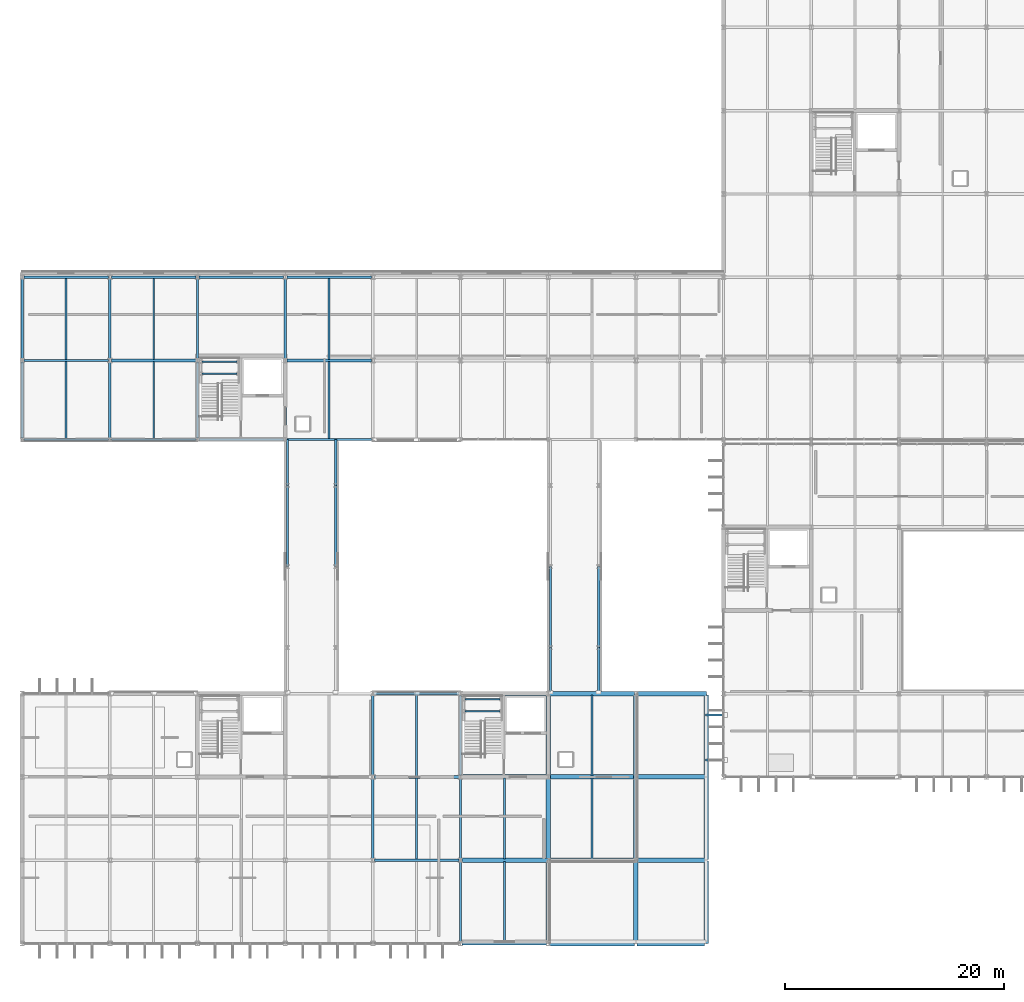
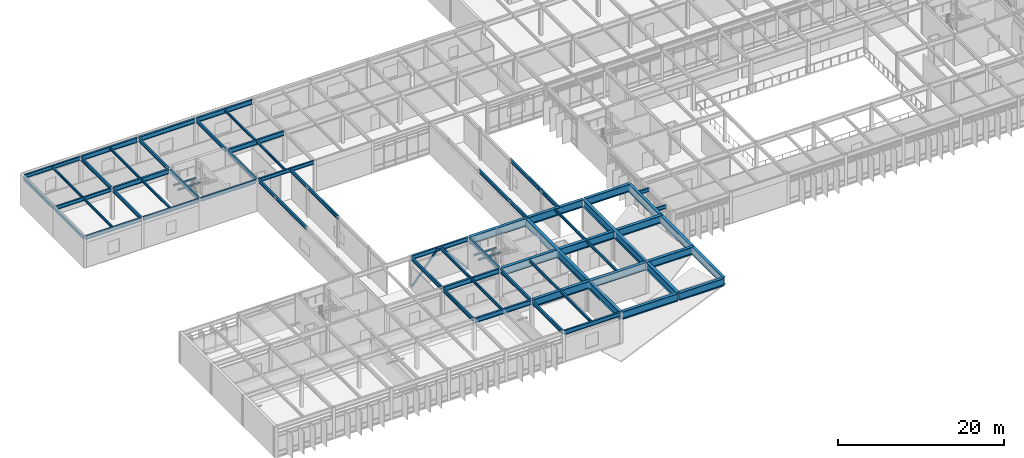
# One storey, part 30 of 104: 68 beams, 2 members.
"""IFC4 building model written with IfcOpenShell, lengths in metres."""

from ifc_helpers import new_model, si_unit, direction, frame, origin, origin_2d, place, context, subcontext, project, spatial, hollow_rectangle, i_section, extrude, material, material_profile, profile_set, type_object, element, save


model = new_model("IFC4")

# Units and contexts
model_context = context("Model", 3, precision=1e-05, world=origin(), true_north=direction((0.0, 1.0)))
body_context = subcontext(model_context, "Body", "Model", "MODEL_VIEW")
ifc_project = project(units=[si_unit("LENGTHUNIT", "METRE"), si_unit("AREAUNIT", "SQUARE_METRE"), si_unit("VOLUMEUNIT", "CUBIC_METRE"), si_unit("PLANEANGLEUNIT", "RADIAN"), si_unit("MASSUNIT", "GRAM", prefix="KILO")], contexts=[model_context])

# Site, building, storey
site_placement = place(None, origin())
site = spatial("IfcSite", under=ifc_project, at=site_placement, CompositionType="ELEMENT")
building_placement = place(site_placement, origin())
building = spatial("IfcBuilding", under=site, at=building_placement, Name="Zulena Civic Courthouse", CompositionType="ELEMENT")
storey_placement = place(building_placement, frame((0.0, 0.0, 10.800048828125)))
storey = spatial("IfcBuildingStorey", under=building, at=storey_placement, Name="L02", CompositionType="ELEMENT", Elevation=10.800048828125)

# Members
ifc_material_1 = material(Name="Steel ASTM A500 Grade C", Category="steel")
ifc_material_profile_1 = material_profile(ifc_material_1, hollow_rectangle(XDim=0.152099609375, YDim=0.25390625, WallThickness=0.0087890625, at=origin_2d()), Name="HSS10X6X3/8")
ifc_profile_set_1 = profile_set([ifc_material_profile_1], Name="Steel ASTM A500 Grade C")
member_type = type_object("IfcMemberType", Name="Brace_HSS10X6", PredefinedType="BRACE", material=ifc_profile_set_1)
for number, where, z_axis, x_axis, name in (
    (1, (36.14990234375, 22.800048828125, 0.010009765625), (0.641014438311, 0.0, 0.767528820225), (0.0, 1.0, 0.0), "brace:V2:L02:1:0"),
    (2, (43.85009765625, 22.800048828125, 0.010009765625), (-0.641014438311, 0.0, 0.767528820225), (0.0, -1.0, 0.0), "brace:V2:L02:1:1"),
):
    element("IfcMember", number, at=place(storey_placement, frame(where, z_axis=z_axis, x_axis=x_axis)), inside=storey, type_object=member_type, Name=name, PredefinedType="BRACE", context=body_context, shape_type="SweptSolid", body=[
        extrude(hollow_rectangle(XDim=0.152099609375, YDim=0.25390625, WallThickness=0.0087890625, at=origin_2d()), origin(), (0.0, 0.0, 1.0), 5.92822265625),
    ])

# Beams
ifc_material_2 = material(Name="Steel ASTM A992 Grade 50", Category="steel")
ifc_material_profile_2 = material_profile(ifc_material_2, i_section(OverallWidth=0.2099609375, OverallDepth=0.537109375, WebThickness=0.010986328125, FlangeThickness=0.017333984375, FilletRadius=0.0126953125, at=origin_2d()), Name="W21X68")
ifc_profile_set_2 = profile_set([ifc_material_profile_2], Name="Steel ASTM A992 Grade 50")
beam_type_1 = type_object("IfcBeamType", Name="BridgeGirder_W21X68", PredefinedType="BEAM", material=ifc_profile_set_2)
for number, where, z_axis, x_axis, name in (
    (3, (66.3701171875, 16.75, 4.31640625), (1.0, 0.0, 0.0), (0.0, 1.0, 0.0), "beam:bridge:BR-24:L03:16.75"),
    (4, (66.3701171875, 20.85009765625, 4.31640625), (1.0, 0.0, 0.0), (0.0, 1.0, 0.0), "beam:bridge:BR-24:L03:20.85"),
):
    element("IfcBeam", number, at=place(storey_placement, frame(where, z_axis=z_axis, x_axis=x_axis)), inside=storey, type_object=beam_type_1, Name=name, PredefinedType="BEAM", context=body_context, shape_type="SweptSolid", body=[
        extrude(i_section(OverallWidth=0.2099609375, OverallDepth=0.537109375, WebThickness=0.010986328125, FlangeThickness=0.017333984375, FilletRadius=0.0126953125, at=origin_2d()), origin(), (0.0, 0.0, 1.0), 1.659912109375),
    ])
beam_1_placement = place(storey_placement, frame((28.199951171875, 34.39990234375, 4.33642578125), z_axis=(0.0, 1.0, 0.0), x_axis=(-1.0, 0.0, 0.0)))
element("IfcBeam", 5, at=beam_1_placement, inside=storey, type_object=beam_type_1, Name="beam:bridge:BR-52J:L03:28.20:2", PredefinedType="BEAM", context=body_context, shape_type="SweptSolid", body=[
    extrude(i_section(OverallWidth=0.2099609375, OverallDepth=0.537109375, WebThickness=0.010986328125, FlangeThickness=0.017333984375, FilletRadius=0.0126953125, at=origin_2d()), origin(), (0.0, 0.0, 1.0), 7.400146484375),
])
beam_2_placement = place(storey_placement, frame((28.199951171875, 41.800048828125, 4.33642578125), z_axis=(0.0, 1.0, 0.0), x_axis=(-1.0, 0.0, 0.0)))
element("IfcBeam", 6, at=beam_2_placement, inside=storey, type_object=beam_type_1, Name="beam:bridge:BR-52J:L03:28.20:3", PredefinedType="BEAM", context=body_context, shape_type="SweptSolid", body=[
    extrude(i_section(OverallWidth=0.2099609375, OverallDepth=0.537109375, WebThickness=0.010986328125, FlangeThickness=0.017333984375, FilletRadius=0.0126953125, at=origin_2d()), origin(), (0.0, 0.0, 1.0), 4.169921875),
])
beam_3_placement = place(storey_placement, frame((32.60009765625, 34.39990234375, 4.33642578125), z_axis=(0.0, 1.0, 0.0), x_axis=(-1.0, 0.0, 0.0)))
element("IfcBeam", 7, at=beam_3_placement, inside=storey, type_object=beam_type_1, Name="beam:bridge:BR-52J:L03:32.60:2", PredefinedType="BEAM", context=body_context, shape_type="SweptSolid", body=[
    extrude(i_section(OverallWidth=0.2099609375, OverallDepth=0.537109375, WebThickness=0.010986328125, FlangeThickness=0.017333984375, FilletRadius=0.0126953125, at=origin_2d()), origin(), (0.0, 0.0, 1.0), 7.400146484375),
])
for number, where, z_axis, x_axis, name in (
    (8, (32.60009765625, 41.800048828125, 4.33642578125), (0.0, 1.0, 0.0), (-1.0, 0.0, 0.0), "beam:bridge:BR-52J:L03:32.60:3"),
    (9, (52.199951171875, 22.830078125, 4.33642578125), (0.0, 1.0, 0.0), (-1.0, 0.0, 0.0), "beam:bridge:BR-52C:L03:52.20:0"),
):
    element("IfcBeam", number, at=place(storey_placement, frame(where, z_axis=z_axis, x_axis=x_axis)), inside=storey, type_object=beam_type_1, Name=name, PredefinedType="BEAM", context=body_context, shape_type="SweptSolid", body=[
        extrude(i_section(OverallWidth=0.2099609375, OverallDepth=0.537109375, WebThickness=0.010986328125, FlangeThickness=0.017333984375, FilletRadius=0.0126953125, at=origin_2d()), origin(), (0.0, 0.0, 1.0), 4.169921875),
    ])
beam_4_placement = place(storey_placement, frame((52.199951171875, 27.0, 4.33642578125), z_axis=(0.0, 1.0, 0.0), x_axis=(-1.0, 0.0, 0.0)))
element("IfcBeam", 10, at=beam_4_placement, inside=storey, type_object=beam_type_1, Name="beam:bridge:BR-52C:L03:52.20:1", PredefinedType="BEAM", context=body_context, shape_type="SweptSolid", body=[
    extrude(i_section(OverallWidth=0.2099609375, OverallDepth=0.537109375, WebThickness=0.010986328125, FlangeThickness=0.017333984375, FilletRadius=0.0126953125, at=origin_2d()), origin(), (0.0, 0.0, 1.0), 7.39990234375),
])
beam_5_placement = place(storey_placement, frame((56.60009765625, 22.830078125, 4.33642578125), z_axis=(0.0, 1.0, 0.0), x_axis=(-1.0, 0.0, 0.0)))
element("IfcBeam", 11, at=beam_5_placement, inside=storey, type_object=beam_type_1, Name="beam:bridge:BR-52C:L03:56.60:0", PredefinedType="BEAM", context=body_context, shape_type="SweptSolid", body=[
    extrude(i_section(OverallWidth=0.2099609375, OverallDepth=0.537109375, WebThickness=0.010986328125, FlangeThickness=0.017333984375, FilletRadius=0.0126953125, at=origin_2d()), origin(), (0.0, 0.0, 1.0), 4.169921875),
])
beam_6_placement = place(storey_placement, frame((56.60009765625, 27.0, 4.33642578125), z_axis=(0.0, 1.0, 0.0), x_axis=(-1.0, 0.0, 0.0)))
element("IfcBeam", 12, at=beam_6_placement, inside=storey, type_object=beam_type_1, Name="beam:bridge:BR-52C:L03:56.60:1", PredefinedType="BEAM", context=body_context, shape_type="SweptSolid", body=[
    extrude(i_section(OverallWidth=0.2099609375, OverallDepth=0.537109375, WebThickness=0.010986328125, FlangeThickness=0.017333984375, FilletRadius=0.0126953125, at=origin_2d()), origin(), (0.0, 0.0, 1.0), 7.39990234375),
])
ifc_material_profile_3 = material_profile(ifc_material_2, i_section(OverallWidth=0.2099609375, OverallDepth=0.537109375, WebThickness=0.010986328125, FlangeThickness=0.017333984375, FilletRadius=0.0126953125, at=origin_2d()), Name="W21X68")
ifc_profile_set_3 = profile_set([ifc_material_profile_3], Name="Steel ASTM A992 Grade 50")
beam_type_2 = type_object("IfcBeamType", Name="Girder_W21X68", PredefinedType="BEAM", material=ifc_profile_set_3)
for number, where, z_axis, x_axis, name in (
    (13, (12.0, 53.344970703125, 4.321533203125), (0.0, 1.0, 0.0), (-1.0, 0.0, 0.0), "beam:Y:V5:L02:12.0:53.2_60.8"),
    (14, (20.0, 53.344970703125, 4.321533203125), (0.0, 1.0, 0.0), (-1.0, 0.0, 0.0), "beam:Y:V5:L02:20.0:53.2_60.8"),
    (15, (28.0, 53.344970703125, 4.321533203125), (0.0, 1.0, 0.0), (-1.0, 0.0, 0.0), "beam:Y:V5:L02:28.0:53.2_60.8"),
):
    element("IfcBeam", number, at=place(storey_placement, frame(where, z_axis=z_axis, x_axis=x_axis)), inside=storey, type_object=beam_type_2, Name=name, PredefinedType="BEAM", context=body_context, shape_type="SweptSolid", body=[
        extrude(i_section(OverallWidth=0.2099609375, OverallDepth=0.537109375, WebThickness=0.010986328125, FlangeThickness=0.017333984375, FilletRadius=0.0126953125, at=origin_2d()), origin(), (0.0, 0.0, 1.0), 7.31005859375),
    ])
ifc_material_profile_4 = material_profile(ifc_material_2, i_section(OverallWidth=0.214111328125, OverallDepth=0.549072265625, WebThickness=0.0146484375, FlangeThickness=0.023681640625, FilletRadius=0.0126953125, at=origin_2d()), Name="W21X93")
ifc_profile_set_4 = profile_set([ifc_material_profile_4], Name="Steel ASTM A992 Grade 50")
beam_type_3 = type_object("IfcBeamType", Name="Girder_W21X93", PredefinedType="BEAM", material=ifc_profile_set_4)
for number, where, z_axis, x_axis, name in (
    (16, (36.0, 7.7451171875, 4.3154296875), (0.0, 1.0, 0.0), (-1.0, 0.0, 0.0), "beam:Y:V2:L02:36.0:7.6_15.2"),
    (17, (44.0, 7.7451171875, 4.3154296875), (0.0, 1.0, 0.0), (-1.0, 0.0, 0.0), "beam:Y:V2:L02:44.0:7.6_15.2"),
):
    element("IfcBeam", number, at=place(storey_placement, frame(where, z_axis=z_axis, x_axis=x_axis)), inside=storey, type_object=beam_type_3, Name=name, PredefinedType="BEAM", context=body_context, shape_type="SweptSolid", body=[
        extrude(i_section(OverallWidth=0.214111328125, OverallDepth=0.549072265625, WebThickness=0.0146484375, FlangeThickness=0.023681640625, FilletRadius=0.0126953125, at=origin_2d()), origin(), (0.0, 0.0, 1.0), 7.309814453125),
    ])
ifc_material_profile_5 = material_profile(ifc_material_2, i_section(OverallWidth=0.25390625, OverallDepth=0.68798828125, WebThickness=0.01318359375, FlangeThickness=0.02099609375, FilletRadius=0.0166015625, at=origin_2d()), Name="W27X102")
ifc_profile_set_5 = profile_set([ifc_material_profile_5], Name="Steel ASTM A992 Grade 50")
beam_type_4 = type_object("IfcBeamType", Name="Girder_W27X102", PredefinedType="BEAM", material=ifc_profile_set_5)
for number, where, z_axis, x_axis, name in (
    (18, (12.14501953125, 53.199951171875, 4.245849609375), (1.0, 0.0, 0.0), (0.0, 1.0, 0.0), "beam:X:V5:L02:53.2:12.0_20.0"),
    (19, (28.14501953125, 53.199951171875, 4.245849609375), (1.0, 0.0, 0.0), (0.0, 1.0, 0.0), "beam:X:V5:L02:53.2:28.0_36.0"),
    (20, (12.14501953125, 60.800048828125, 4.245849609375), (1.0, 0.0, 0.0), (0.0, 1.0, 0.0), "beam:X:V5:L02:60.8:12.0_20.0"),
    (21, (20.14501953125, 60.800048828125, 4.245849609375), (1.0, 0.0, 0.0), (0.0, 1.0, 0.0), "beam:X:V5:L02:60.8:20.0_28.0"),
    (22, (28.14501953125, 60.800048828125, 4.245849609375), (1.0, 0.0, 0.0), (0.0, 1.0, 0.0), "beam:X:V5:L02:60.8:28.0_36.0"),
):
    element("IfcBeam", number, at=place(storey_placement, frame(where, z_axis=z_axis, x_axis=x_axis)), inside=storey, type_object=beam_type_4, Name=name, PredefinedType="BEAM", context=body_context, shape_type="SweptSolid", body=[
        extrude(i_section(OverallWidth=0.25390625, OverallDepth=0.68798828125, WebThickness=0.01318359375, FlangeThickness=0.02099609375, FilletRadius=0.0166015625, at=origin_2d()), origin(), (0.0, 0.0, 1.0), 7.7099609375),
    ])
ifc_material_profile_6 = material_profile(ifc_material_2, i_section(OverallWidth=0.25390625, OverallDepth=0.701904296875, WebThickness=0.015380859375, FlangeThickness=0.02783203125, FilletRadius=0.0166015625, at=origin_2d()), Name="W27X129")
ifc_profile_set_6 = profile_set([ifc_material_profile_6], Name="Steel ASTM A992 Grade 50")
beam_type_5 = type_object("IfcBeamType", Name="Girder_W27X129", PredefinedType="BEAM", material=ifc_profile_set_6)
for number, where, z_axis, x_axis, name in (
    (23, (36.14501953125, 7.60009765625, 4.239013671875), (1.0, 0.0, 0.0), (0.0, 1.0, 0.0), "beam:X:V2:L02:7.6:36.0_44.0"),
    (24, (36.14501953125, 15.199951171875, 4.239013671875), (1.0, 0.0, 0.0), (0.0, 1.0, 0.0), "beam:X:V2:L02:15.2:36.0_44.0"),
):
    element("IfcBeam", number, at=place(storey_placement, frame(where, z_axis=z_axis, x_axis=x_axis)), inside=storey, type_object=beam_type_5, Name=name, PredefinedType="BEAM", context=body_context, shape_type="SweptSolid", body=[
        extrude(i_section(OverallWidth=0.25390625, OverallDepth=0.701904296875, WebThickness=0.015380859375, FlangeThickness=0.02783203125, FilletRadius=0.0166015625, at=origin_2d()), origin(), (0.0, 0.0, 1.0), 7.7099609375),
    ])
ifc_material_profile_7 = material_profile(ifc_material_2, i_section(OverallWidth=0.14599609375, OverallDepth=0.258056640625, WebThickness=0.006103515625, FlangeThickness=0.009033203125, FilletRadius=0.007568359375, at=origin_2d()), Name="W10X22")
ifc_profile_set_7 = profile_set([ifc_material_profile_7], Name="Steel ASTM A992 Grade 50")
beam_type_6 = type_object("IfcBeamType", Name="Joist_W10X22", PredefinedType="JOIST", material=ifc_profile_set_7)
for number, where, z_axis, x_axis, name in (
    (25, (44.419921875, 21.199951171875, 1.990966796875), (1.0, 0.0, 0.0), (0.0, 1.0, 0.0), "beam:lnd:K2B:L02:0"),
    (26, (44.419921875, 22.300048828125, 1.990966796875), (1.0, 0.0, 0.0), (0.0, 1.0, 0.0), "beam:lnd:K2B:L02:1"),
    (27, (20.419921875, 52.0, 1.990966796875), (1.0, 0.0, 0.0), (0.0, 1.0, 0.0), "beam:lnd:K5A:L02:0"),
    (28, (20.419921875, 53.10009765625, 1.990966796875), (1.0, 0.0, 0.0), (0.0, 1.0, 0.0), "beam:lnd:K5A:L02:1"),
):
    element("IfcBeam", number, at=place(storey_placement, frame(where, z_axis=z_axis, x_axis=x_axis)), inside=storey, type_object=beam_type_6, Name=name, PredefinedType="JOIST", context=body_context, shape_type="SweptSolid", body=[
        extrude(i_section(OverallWidth=0.14599609375, OverallDepth=0.258056640625, WebThickness=0.006103515625, FlangeThickness=0.009033203125, FilletRadius=0.007568359375, at=origin_2d()), origin(), (0.0, 0.0, 1.0), 3.2001953125),
    ])
ifc_material_profile_8 = material_profile(ifc_material_2, i_section(OverallWidth=0.1708984375, OverallDepth=0.35205078125, WebThickness=0.0068359375, FlangeThickness=0.009765625, FilletRadius=0.01025390625, at=origin_2d()), Name="W14X30")
ifc_profile_set_8 = profile_set([ifc_material_profile_8], Name="Steel ASTM A992 Grade 50")
beam_type_7 = type_object("IfcBeamType", Name="Joist_W14X30", PredefinedType="JOIST", material=ifc_profile_set_8)
beam_7_placement = place(storey_placement, frame((8.0, 46.10498046875, 4.4140625), z_axis=(0.0, 1.0, 0.0), x_axis=(-1.0, 0.0, 0.0)))
element("IfcBeam", 29, at=beam_7_placement, inside=storey, type_object=beam_type_7, Name="joist:V5:L02:8.00:46.0_53.2", PredefinedType="JOIST", context=body_context, shape_type="SweptSolid", body=[
    extrude(i_section(OverallWidth=0.1708984375, OverallDepth=0.35205078125, WebThickness=0.0068359375, FlangeThickness=0.009765625, FilletRadius=0.01025390625, at=origin_2d()), origin(), (0.0, 0.0, 1.0), 6.989990234375),
])
beam_8_placement = place(storey_placement, frame((8.0, 53.304931640625, 4.4140625), z_axis=(0.0, 1.0, 0.0), x_axis=(-1.0, 0.0, 0.0)))
element("IfcBeam", 30, at=beam_8_placement, inside=storey, type_object=beam_type_7, Name="joist:V5:L02:8.00:53.2_60.8", PredefinedType="JOIST", context=body_context, shape_type="SweptSolid", body=[
    extrude(i_section(OverallWidth=0.1708984375, OverallDepth=0.35205078125, WebThickness=0.0068359375, FlangeThickness=0.009765625, FilletRadius=0.01025390625, at=origin_2d()), origin(), (0.0, 0.0, 1.0), 7.39013671875),
])
beam_9_placement = place(storey_placement, frame((16.0, 46.10498046875, 4.4140625), z_axis=(0.0, 1.0, 0.0), x_axis=(-1.0, 0.0, 0.0)))
element("IfcBeam", 31, at=beam_9_placement, inside=storey, type_object=beam_type_7, Name="joist:V5:L02:16.00:46.0_53.2", PredefinedType="JOIST", context=body_context, shape_type="SweptSolid", body=[
    extrude(i_section(OverallWidth=0.1708984375, OverallDepth=0.35205078125, WebThickness=0.0068359375, FlangeThickness=0.009765625, FilletRadius=0.01025390625, at=origin_2d()), origin(), (0.0, 0.0, 1.0), 6.989990234375),
])
beam_10_placement = place(storey_placement, frame((16.0, 53.304931640625, 4.4140625), z_axis=(0.0, 1.0, 0.0), x_axis=(-1.0, 0.0, 0.0)))
element("IfcBeam", 32, at=beam_10_placement, inside=storey, type_object=beam_type_7, Name="joist:V5:L02:16.00:53.2_60.8", PredefinedType="JOIST", context=body_context, shape_type="SweptSolid", body=[
    extrude(i_section(OverallWidth=0.1708984375, OverallDepth=0.35205078125, WebThickness=0.0068359375, FlangeThickness=0.009765625, FilletRadius=0.01025390625, at=origin_2d()), origin(), (0.0, 0.0, 1.0), 7.39013671875),
])
beam_11_placement = place(storey_placement, frame((32.0, 46.10498046875, 4.4140625), z_axis=(0.0, 1.0, 0.0), x_axis=(-1.0, 0.0, 0.0)))
element("IfcBeam", 33, at=beam_11_placement, inside=storey, type_object=beam_type_7, Name="joist:V5:L02:32.00:46.0_53.2", PredefinedType="JOIST", context=body_context, shape_type="SweptSolid", body=[
    extrude(i_section(OverallWidth=0.1708984375, OverallDepth=0.35205078125, WebThickness=0.0068359375, FlangeThickness=0.009765625, FilletRadius=0.01025390625, at=origin_2d()), origin(), (0.0, 0.0, 1.0), 6.989990234375),
])
beam_12_placement = place(storey_placement, frame((32.0, 53.304931640625, 4.4140625), z_axis=(0.0, 1.0, 0.0), x_axis=(-1.0, 0.0, 0.0)))
element("IfcBeam", 34, at=beam_12_placement, inside=storey, type_object=beam_type_7, Name="joist:V5:L02:32.00:53.2_60.8", PredefinedType="JOIST", context=body_context, shape_type="SweptSolid", body=[
    extrude(i_section(OverallWidth=0.1708984375, OverallDepth=0.35205078125, WebThickness=0.0068359375, FlangeThickness=0.009765625, FilletRadius=0.01025390625, at=origin_2d()), origin(), (0.0, 0.0, 1.0), 7.39013671875),
])
ifc_material_profile_9 = material_profile(ifc_material_2, i_section(OverallWidth=0.177978515625, OverallDepth=0.406005859375, WebThickness=0.0078125, FlangeThickness=0.0126953125, FilletRadius=0.01025390625, at=origin_2d()), Name="W16X40")
ifc_profile_set_9 = profile_set([ifc_material_profile_9], Name="Steel ASTM A992 Grade 50")
beam_type_8 = type_object("IfcBeamType", Name="Joist_W16X40", PredefinedType="JOIST", material=ifc_profile_set_9)
beam_13_placement = place(storey_placement, frame((40.0, 7.705078125, 4.386962890625), z_axis=(0.0, 1.0, 0.0), x_axis=(-1.0, 0.0, 0.0)))
element("IfcBeam", 35, at=beam_13_placement, inside=storey, type_object=beam_type_8, Name="joist:V2:L02:40.00:7.6_15.2", PredefinedType="JOIST", context=body_context, shape_type="SweptSolid", body=[
    extrude(i_section(OverallWidth=0.177978515625, OverallDepth=0.406005859375, WebThickness=0.0078125, FlangeThickness=0.0126953125, FilletRadius=0.01025390625, at=origin_2d()), origin(), (0.0, 0.0, 1.0), 7.389892578125),
])
for number, where, z_axis, x_axis, name in (
    (36, (40.0, 15.304931640625, 4.386962890625), (0.0, 1.0, 0.0), (-1.0, 0.0, 0.0), "joist:V2:L02:40.00:15.2_22.8"),
    (37, (48.0, 0.10498046875, 4.386962890625), (0.0, 1.0, 0.0), (-1.0, 0.0, 0.0), "joist:V2:L02:48.00:0.0_7.6"),
):
    element("IfcBeam", number, at=place(storey_placement, frame(where, z_axis=z_axis, x_axis=x_axis)), inside=storey, type_object=beam_type_8, Name=name, PredefinedType="JOIST", context=body_context, shape_type="SweptSolid", body=[
        extrude(i_section(OverallWidth=0.177978515625, OverallDepth=0.406005859375, WebThickness=0.0078125, FlangeThickness=0.0126953125, FilletRadius=0.01025390625, at=origin_2d()), origin(), (0.0, 0.0, 1.0), 7.39013671875),
    ])
for number, where, z_axis, x_axis, name in (
    (38, (48.0, 7.705078125, 4.386962890625), (0.0, 1.0, 0.0), (-1.0, 0.0, 0.0), "joist:V2:L02:48.00:7.6_15.2"),
    (39, (56.0, 7.705078125, 4.386962890625), (0.0, 1.0, 0.0), (-1.0, 0.0, 0.0), "joist:V2:L02:56.00:7.6_15.2"),
):
    element("IfcBeam", number, at=place(storey_placement, frame(where, z_axis=z_axis, x_axis=x_axis)), inside=storey, type_object=beam_type_8, Name=name, PredefinedType="JOIST", context=body_context, shape_type="SweptSolid", body=[
        extrude(i_section(OverallWidth=0.177978515625, OverallDepth=0.406005859375, WebThickness=0.0078125, FlangeThickness=0.0126953125, FilletRadius=0.01025390625, at=origin_2d()), origin(), (0.0, 0.0, 1.0), 7.389892578125),
    ])
beam_14_placement = place(storey_placement, frame((56.0, 15.304931640625, 4.386962890625), z_axis=(0.0, 1.0, 0.0), x_axis=(-1.0, 0.0, 0.0)))
element("IfcBeam", 40, at=beam_14_placement, inside=storey, type_object=beam_type_8, Name="joist:V2:L02:56.00:15.2_22.8", PredefinedType="JOIST", context=body_context, shape_type="SweptSolid", body=[
    extrude(i_section(OverallWidth=0.177978515625, OverallDepth=0.406005859375, WebThickness=0.0078125, FlangeThickness=0.0126953125, FilletRadius=0.01025390625, at=origin_2d()), origin(), (0.0, 0.0, 1.0), 7.39013671875),
])
ifc_material_profile_10 = material_profile(ifc_material_2, i_section(OverallWidth=0.2099609375, OverallDepth=0.537109375, WebThickness=0.010986328125, FlangeThickness=0.017333984375, FilletRadius=0.0126953125, at=origin_2d()), Name="W21X68")
ifc_profile_set_10 = profile_set([ifc_material_profile_10], Name="Steel ASTM A992 Grade 50")
beam_type_9 = type_object("IfcBeamType", Name="Spandrel_W21X68", PredefinedType="SPANDREL", material=ifc_profile_set_10)
for number, where, z_axis, x_axis, name in (
    (41, (36.0, 15.344970703125, 4.321533203125), (0.0, 1.0, 0.0), (-1.0, 0.0, 0.0), "beam:Y:V2:L02:36.0:15.2_22.8"),
    (42, (44.0, 0.14501953125, 4.321533203125), (0.0, 1.0, 0.0), (-1.0, 0.0, 0.0), "beam:Y:V2:L02:44.0:0.0_7.6"),
    (43, (44.0, 15.344970703125, 4.321533203125), (0.0, 1.0, 0.0), (-1.0, 0.0, 0.0), "beam:Y:V2:L02:44.0:15.2_22.8"),
):
    element("IfcBeam", number, at=place(storey_placement, frame(where, z_axis=z_axis, x_axis=x_axis)), inside=storey, type_object=beam_type_9, Name=name, PredefinedType="SPANDREL", context=body_context, shape_type="SweptSolid", body=[
        extrude(i_section(OverallWidth=0.2099609375, OverallDepth=0.537109375, WebThickness=0.010986328125, FlangeThickness=0.017333984375, FilletRadius=0.0126953125, at=origin_2d()), origin(), (0.0, 0.0, 1.0), 7.31005859375),
    ])
for number, where, z_axis, x_axis, name in (
    (44, (4.14501953125, 46.0, 4.321533203125), (1.0, 0.0, 0.0), (0.0, 1.0, 0.0), "beam:X:V5:L02:46.0:4.0_12.0"),
    (45, (12.14501953125, 46.0, 4.321533203125), (1.0, 0.0, 0.0), (0.0, 1.0, 0.0), "beam:X:V5:L02:46.0:12.0_20.0"),
    (46, (20.14501953125, 46.0, 4.321533203125), (1.0, 0.0, 0.0), (0.0, 1.0, 0.0), "beam:X:V5:L02:46.0:20.0_28.0"),
    (47, (28.14501953125, 46.0, 4.321533203125), (1.0, 0.0, 0.0), (0.0, 1.0, 0.0), "beam:X:V5:L02:46.0:28.0_36.0"),
    (48, (4.14501953125, 53.199951171875, 4.321533203125), (1.0, 0.0, 0.0), (0.0, 1.0, 0.0), "beam:X:V5:L02:53.2:4.0_12.0"),
    (49, (4.14501953125, 60.800048828125, 4.321533203125), (1.0, 0.0, 0.0), (0.0, 1.0, 0.0), "beam:X:V5:L02:60.8:4.0_12.0"),
):
    element("IfcBeam", number, at=place(storey_placement, frame(where, z_axis=z_axis, x_axis=x_axis)), inside=storey, type_object=beam_type_9, Name=name, PredefinedType="SPANDREL", context=body_context, shape_type="SweptSolid", body=[
        extrude(i_section(OverallWidth=0.2099609375, OverallDepth=0.537109375, WebThickness=0.010986328125, FlangeThickness=0.017333984375, FilletRadius=0.0126953125, at=origin_2d()), origin(), (0.0, 0.0, 1.0), 7.7099609375),
    ])
beam_15_placement = place(storey_placement, frame((4.0, 46.14501953125, 4.321533203125), z_axis=(0.0, 1.0, 0.0), x_axis=(-1.0, 0.0, 0.0)))
element("IfcBeam", 50, at=beam_15_placement, inside=storey, type_object=beam_type_9, Name="beam:Y:V5:L02:4.0:46.0_53.2", PredefinedType="SPANDREL", context=body_context, shape_type="SweptSolid", body=[
    extrude(i_section(OverallWidth=0.2099609375, OverallDepth=0.537109375, WebThickness=0.010986328125, FlangeThickness=0.017333984375, FilletRadius=0.0126953125, at=origin_2d()), origin(), (0.0, 0.0, 1.0), 6.909912109375),
])
beam_16_placement = place(storey_placement, frame((4.0, 53.344970703125, 4.321533203125), z_axis=(0.0, 1.0, 0.0), x_axis=(-1.0, 0.0, 0.0)))
element("IfcBeam", 51, at=beam_16_placement, inside=storey, type_object=beam_type_9, Name="beam:Y:V5:L02:4.0:53.2_60.8", PredefinedType="SPANDREL", context=body_context, shape_type="SweptSolid", body=[
    extrude(i_section(OverallWidth=0.2099609375, OverallDepth=0.537109375, WebThickness=0.010986328125, FlangeThickness=0.017333984375, FilletRadius=0.0126953125, at=origin_2d()), origin(), (0.0, 0.0, 1.0), 7.31005859375),
])
for number, where, z_axis, x_axis, name in (
    (52, (12.0, 46.14501953125, 4.321533203125), (0.0, 1.0, 0.0), (-1.0, 0.0, 0.0), "beam:Y:V5:L02:12.0:46.0_53.2"),
    (53, (20.0, 46.14501953125, 4.321533203125), (0.0, 1.0, 0.0), (-1.0, 0.0, 0.0), "beam:Y:V5:L02:20.0:46.0_53.2"),
    (54, (28.0, 46.14501953125, 4.321533203125), (0.0, 1.0, 0.0), (-1.0, 0.0, 0.0), "beam:Y:V5:L02:28.0:46.0_53.2"),
):
    element("IfcBeam", number, at=place(storey_placement, frame(where, z_axis=z_axis, x_axis=x_axis)), inside=storey, type_object=beam_type_9, Name=name, PredefinedType="SPANDREL", context=body_context, shape_type="SweptSolid", body=[
        extrude(i_section(OverallWidth=0.2099609375, OverallDepth=0.537109375, WebThickness=0.010986328125, FlangeThickness=0.017333984375, FilletRadius=0.0126953125, at=origin_2d()), origin(), (0.0, 0.0, 1.0), 6.909912109375),
    ])
ifc_material_profile_11 = material_profile(ifc_material_2, i_section(OverallWidth=0.22998046875, OverallDepth=0.616943359375, WebThickness=0.01318359375, FlangeThickness=0.022216796875, FilletRadius=0.0126953125, at=origin_2d()), Name="W24X94")
ifc_profile_set_11 = profile_set([ifc_material_profile_11], Name="Steel ASTM A992 Grade 50")
beam_type_10 = type_object("IfcBeamType", Name="Spandrel_W24X94", PredefinedType="SPANDREL", material=ifc_profile_set_11)
for number, where, z_axis, x_axis, name in (
    (55, (44.14501953125, 0.0, 4.281494140625), (1.0, 0.0, 0.0), (0.0, 1.0, 0.0), "beam:X:V2:L02:0.0:44.0_52.0"),
    (56, (36.14501953125, 22.800048828125, 4.281494140625), (1.0, 0.0, 0.0), (0.0, 1.0, 0.0), "beam:X:V2:L02:22.8:36.0_44.0"),
):
    element("IfcBeam", number, at=place(storey_placement, frame(where, z_axis=z_axis, x_axis=x_axis)), inside=storey, type_object=beam_type_10, Name=name, PredefinedType="SPANDREL", context=body_context, shape_type="SweptSolid", body=[
        extrude(i_section(OverallWidth=0.22998046875, OverallDepth=0.616943359375, WebThickness=0.01318359375, FlangeThickness=0.022216796875, FilletRadius=0.0126953125, at=origin_2d()), origin(), (0.0, 0.0, 1.0), 7.7099609375),
    ])
ifc_material_profile_12 = material_profile(ifc_material_2, i_section(OverallWidth=0.405029296875, OverallDepth=1.117919921875, WebThickness=0.02587890625, FlangeThickness=0.044921875, FilletRadius=0.02294921875, at=origin_2d()), Name="W44X335")
ifc_profile_set_12 = profile_set([ifc_material_profile_12], Name="Steel ASTM A992 Grade 50")
beam_type_11 = type_object("IfcBeamType", Name="TransferGirder_W44X335", PredefinedType="BEAM", material=ifc_profile_set_12)
beam_17_placement = place(storey_placement, frame((44.14990234375, 7.60009765625, 4.031005859375), z_axis=(1.0, 0.0, 0.0), x_axis=(0.0, 1.0, 0.0)))
element("IfcBeam", 57, at=beam_17_placement, inside=storey, type_object=beam_type_11, Name="beam:backX:V2:L02:7.6", PredefinedType="BEAM", context=body_context, shape_type="SweptSolid", body=[
    extrude(i_section(OverallWidth=0.405029296875, OverallDepth=1.117919921875, WebThickness=0.02587890625, FlangeThickness=0.044921875, FilletRadius=0.02294921875, at=origin_2d()), origin(), (0.0, 0.0, 1.0), 15.7001953125),
])
beam_18_placement = place(storey_placement, frame((60.14990234375, 7.60009765625, 4.031005859375), z_axis=(1.0, 0.0, 0.0), x_axis=(0.0, 1.0, 0.0)))
element("IfcBeam", 58, at=beam_18_placement, inside=storey, type_object=beam_type_11, Name="beam:cantX:V2:L02:7.6", PredefinedType="BEAM", context=body_context, shape_type="SweptSolid", body=[
    extrude(i_section(OverallWidth=0.405029296875, OverallDepth=1.117919921875, WebThickness=0.02587890625, FlangeThickness=0.044921875, FilletRadius=0.02294921875, at=origin_2d()), origin(), (0.0, 0.0, 1.0), 6.300048828125),
])
beam_19_placement = place(storey_placement, frame((44.14990234375, 15.199951171875, 4.031005859375), z_axis=(1.0, 0.0, 0.0), x_axis=(0.0, 1.0, 0.0)))
element("IfcBeam", 59, at=beam_19_placement, inside=storey, type_object=beam_type_11, Name="beam:backX:V2:L02:15.2", PredefinedType="BEAM", context=body_context, shape_type="SweptSolid", body=[
    extrude(i_section(OverallWidth=0.405029296875, OverallDepth=1.117919921875, WebThickness=0.02587890625, FlangeThickness=0.044921875, FilletRadius=0.02294921875, at=origin_2d()), origin(), (0.0, 0.0, 1.0), 15.7001953125),
])
beam_20_placement = place(storey_placement, frame((60.14990234375, 15.199951171875, 4.031005859375), z_axis=(1.0, 0.0, 0.0), x_axis=(0.0, 1.0, 0.0)))
element("IfcBeam", 60, at=beam_20_placement, inside=storey, type_object=beam_type_11, Name="beam:cantX:V2:L02:15.2", PredefinedType="BEAM", context=body_context, shape_type="SweptSolid", body=[
    extrude(i_section(OverallWidth=0.405029296875, OverallDepth=1.117919921875, WebThickness=0.02587890625, FlangeThickness=0.044921875, FilletRadius=0.02294921875, at=origin_2d()), origin(), (0.0, 0.0, 1.0), 6.300048828125),
])
beam_21_placement = place(storey_placement, frame((44.14990234375, 22.800048828125, 4.031005859375), z_axis=(1.0, 0.0, 0.0), x_axis=(0.0, 1.0, 0.0)))
element("IfcBeam", 61, at=beam_21_placement, inside=storey, type_object=beam_type_11, Name="beam:backX:V2:L02:22.8", PredefinedType="BEAM", context=body_context, shape_type="SweptSolid", body=[
    extrude(i_section(OverallWidth=0.405029296875, OverallDepth=1.117919921875, WebThickness=0.02587890625, FlangeThickness=0.044921875, FilletRadius=0.02294921875, at=origin_2d()), origin(), (0.0, 0.0, 1.0), 15.7001953125),
])
beam_22_placement = place(storey_placement, frame((60.14990234375, 22.800048828125, 4.031005859375), z_axis=(1.0, 0.0, 0.0), x_axis=(0.0, 1.0, 0.0)))
element("IfcBeam", 62, at=beam_22_placement, inside=storey, type_object=beam_type_11, Name="beam:cantX:V2:L02:22.8", PredefinedType="BEAM", context=body_context, shape_type="SweptSolid", body=[
    extrude(i_section(OverallWidth=0.405029296875, OverallDepth=1.117919921875, WebThickness=0.02587890625, FlangeThickness=0.044921875, FilletRadius=0.02294921875, at=origin_2d()), origin(), (0.0, 0.0, 1.0), 6.300048828125),
])
beam_23_placement = place(storey_placement, frame((52.0, 7.75, 4.031005859375), z_axis=(0.0, 1.0, 0.0), x_axis=(-1.0, 0.0, 0.0)))
element("IfcBeam", 63, at=beam_23_placement, inside=storey, type_object=beam_type_11, Name="beam:backY:V2:L02:52.0", PredefinedType="BEAM", context=body_context, shape_type="SweptSolid", body=[
    extrude(i_section(OverallWidth=0.405029296875, OverallDepth=1.117919921875, WebThickness=0.02587890625, FlangeThickness=0.044921875, FilletRadius=0.02294921875, at=origin_2d()), origin(), (0.0, 0.0, 1.0), 14.89990234375),
])
beam_24_placement = place(storey_placement, frame((52.0, 0.0, 4.031005859375), z_axis=(0.0, 1.0, 0.0), x_axis=(-1.0, 0.0, 0.0)))
element("IfcBeam", 64, at=beam_24_placement, inside=storey, type_object=beam_type_11, Name="beam:cantY:V2:L02:52.0", PredefinedType="BEAM", context=body_context, shape_type="SweptSolid", body=[
    extrude(i_section(OverallWidth=0.405029296875, OverallDepth=1.117919921875, WebThickness=0.02587890625, FlangeThickness=0.044921875, FilletRadius=0.02294921875, at=origin_2d()), origin(), (0.0, 0.0, 1.0), 7.449951171875),
])
beam_25_placement = place(storey_placement, frame((60.0, 7.75, 4.031005859375), z_axis=(0.0, 1.0, 0.0), x_axis=(-1.0, 0.0, 0.0)))
element("IfcBeam", 65, at=beam_25_placement, inside=storey, type_object=beam_type_11, Name="beam:backY:V2:L02:60.0", PredefinedType="BEAM", context=body_context, shape_type="SweptSolid", body=[
    extrude(i_section(OverallWidth=0.405029296875, OverallDepth=1.117919921875, WebThickness=0.02587890625, FlangeThickness=0.044921875, FilletRadius=0.02294921875, at=origin_2d()), origin(), (0.0, 0.0, 1.0), 14.89990234375),
])
beam_26_placement = place(storey_placement, frame((60.0, 0.0, 4.031005859375), z_axis=(0.0, 1.0, 0.0), x_axis=(-1.0, 0.0, 0.0)))
element("IfcBeam", 66, at=beam_26_placement, inside=storey, type_object=beam_type_11, Name="beam:cantY:V2:L02:60.0", PredefinedType="BEAM", context=body_context, shape_type="SweptSolid", body=[
    extrude(i_section(OverallWidth=0.405029296875, OverallDepth=1.117919921875, WebThickness=0.02587890625, FlangeThickness=0.044921875, FilletRadius=0.02294921875, at=origin_2d()), origin(), (0.0, 0.0, 1.0), 7.449951171875),
])
beam_27_placement = place(storey_placement, frame((66.39990234375, 7.64990234375, 4.031005859375), z_axis=(0.0, 1.0, 0.0), x_axis=(-1.0, 0.0, 0.0)))
element("IfcBeam", 67, at=beam_27_placement, inside=storey, type_object=beam_type_11, Name="beam:cantBackY:V2:L02:66.4", PredefinedType="BEAM", context=body_context, shape_type="SweptSolid", body=[
    extrude(i_section(OverallWidth=0.405029296875, OverallDepth=1.117919921875, WebThickness=0.02587890625, FlangeThickness=0.044921875, FilletRadius=0.02294921875, at=origin_2d()), origin(), (0.0, 0.0, 1.0), 15.050048828125),
])
beam_28_placement = place(storey_placement, frame((66.39990234375, 0.0, 4.031005859375), z_axis=(0.0, 1.0, 0.0), x_axis=(-1.0, 0.0, 0.0)))
element("IfcBeam", 68, at=beam_28_placement, inside=storey, type_object=beam_type_11, Name="beam:cantTipY:V2:L02:66.4", PredefinedType="BEAM", context=body_context, shape_type="SweptSolid", body=[
    extrude(i_section(OverallWidth=0.405029296875, OverallDepth=1.117919921875, WebThickness=0.02587890625, FlangeThickness=0.044921875, FilletRadius=0.02294921875, at=origin_2d()), origin(), (0.0, 0.0, 1.0), 7.550048828125),
])
beam_29_placement = place(storey_placement, frame((52.1201171875, 0.0, 4.031005859375), z_axis=(1.0, 0.0, 0.0), x_axis=(0.0, 1.0, 0.0)))
element("IfcBeam", 69, at=beam_29_placement, inside=storey, type_object=beam_type_11, Name="beam:cantEdgeX:V2:L02:52.1", PredefinedType="BEAM", context=body_context, shape_type="SweptSolid", body=[
    extrude(i_section(OverallWidth=0.405029296875, OverallDepth=1.117919921875, WebThickness=0.02587890625, FlangeThickness=0.044921875, FilletRadius=0.02294921875, at=origin_2d()), origin(), (0.0, 0.0, 1.0), 7.759765625),
])
beam_30_placement = place(storey_placement, frame((60.1201171875, 0.0, 4.031005859375), z_axis=(1.0, 0.0, 0.0), x_axis=(0.0, 1.0, 0.0)))
element("IfcBeam", 70, at=beam_30_placement, inside=storey, type_object=beam_type_11, Name="beam:cantEdgeX:V2:L02:60.1", PredefinedType="BEAM", context=body_context, shape_type="SweptSolid", body=[
    extrude(i_section(OverallWidth=0.405029296875, OverallDepth=1.117919921875, WebThickness=0.02587890625, FlangeThickness=0.044921875, FilletRadius=0.02294921875, at=origin_2d()), origin(), (0.0, 0.0, 1.0), 6.159912109375),
])

save(model, "model.ifc")
